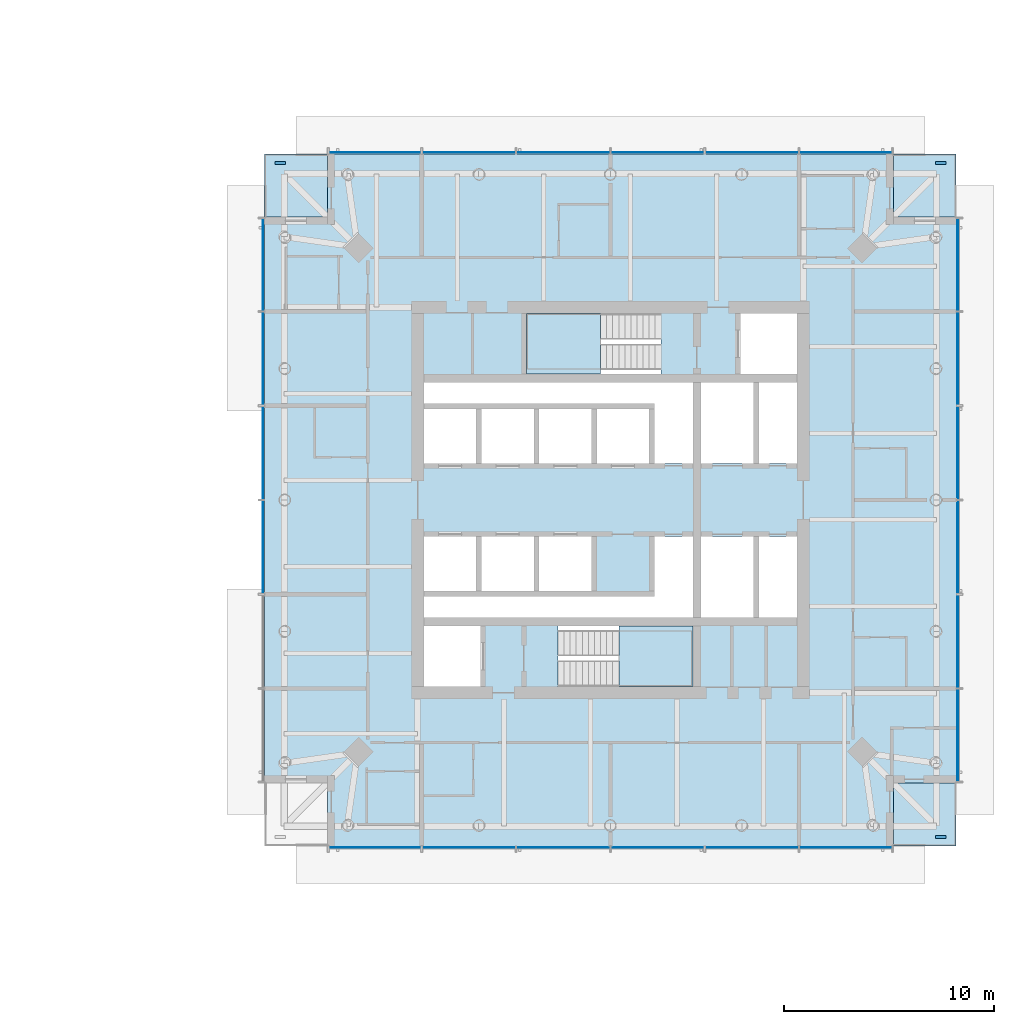
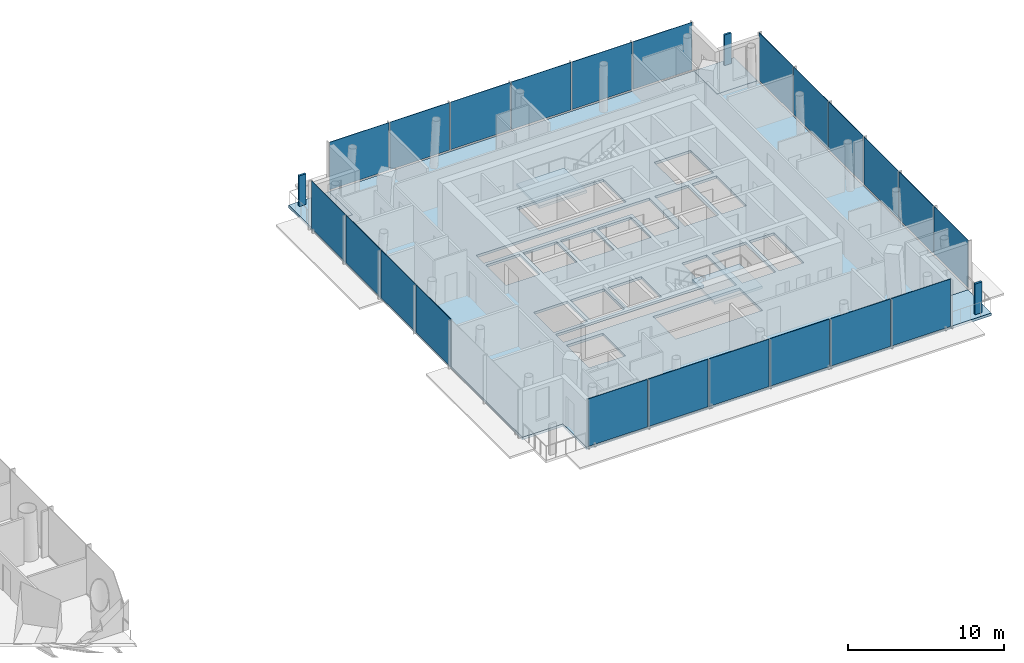
# One storey, part 7 of 20: 25 plates, 6 slabs, 6 elements without a shape of their own.
"""IFC4 building model written with IfcOpenShell, lengths in metres."""

from ifc_helpers import new_model, si_unit, direction, frame, origin, origin_2d, place, context, subcontext, project, spatial, polyline, rectangle, outline, extrude, material, layer, layer_set, type_object, element, aggregate, save


model = new_model("IFC4")

# Units and contexts
model_context = context("Model", 3, precision=1e-05, world=origin(), true_north=direction((0.0, 1.0)))
body_context = subcontext(model_context, "Body", "Model", "MODEL_VIEW")
ifc_project = project(units=[si_unit("LENGTHUNIT", "METRE"), si_unit("AREAUNIT", "SQUARE_METRE"), si_unit("VOLUMEUNIT", "CUBIC_METRE"), si_unit("PLANEANGLEUNIT", "RADIAN"), si_unit("MASSUNIT", "GRAM", prefix="KILO")], contexts=[model_context])

# Site, building, storey
site_placement = place(None, origin())
site = spatial("IfcSite", under=ifc_project, at=site_placement, CompositionType="ELEMENT")
building_placement = place(site_placement, origin())
building = spatial("IfcBuilding", under=site, at=building_placement, Name="Ostroluk Exchange", CompositionType="ELEMENT")
storey_placement = place(building_placement, frame((0.0, 0.0, 100.800048828125)))
storey = spatial("IfcBuildingStorey", under=building, at=storey_placement, Name="L25", CompositionType="ELEMENT", Elevation=100.800048828125)

# Curtain wall, plates
ifc_material_1 = material(Name="Laminated clear glass", Category="glass")
curtain_wall_type = type_object("IfcCurtainWallType", Name="Hotel guest floor facade", PredefinedType="USERDEFINED", material=ifc_material_1)
curtain_wall_1_placement = place(storey_placement, origin())
curtain_wall_1 = element("IfcCurtainWall", 1, at=curtain_wall_1_placement, inside=storey, type_object=curtain_wall_type, Name="Hotel tower south facade L25", ObjectType="UNITISED CURTAIN WALL", PredefinedType="USERDEFINED")
ifc_material_2 = material(Name="Laminated clear glass", Category="glass")
ifc_layer_1 = layer(ifc_material_2, 0.0400390625)
ifc_layer_set_1 = layer_set([ifc_layer_1], Name="Acoustic laminated glazing 40")
plate_type_1 = type_object("IfcPlateType", Name="Acoustic laminated glazing 40", PredefinedType="CURTAIN_PANEL", material=ifc_layer_set_1)
plate_1_placement = place(storey_placement, frame((105.77001953125, 29.425048828125, 0.080078125), z_axis=(0.0, 0.0, 1.0), x_axis=(1.0, 0.0, 0.0)))
plate_1 = element("IfcPlate", 2, at=plate_1_placement, type_object=plate_type_1, Name="CW-H1 panel 1.1", PredefinedType="CURTAIN_PANEL", context=body_context, shape_type="SweptSolid", body=[
    extrude(rectangle(XDim=4.3798828125, YDim=0.0400390625, at=origin_2d()), origin(), (0.0, 0.0, 1.0), 3.719970703125),
])
plate_2_placement = place(storey_placement, frame((110.25, 29.425048828125, 0.080078125), z_axis=(0.0, 0.0, 1.0), x_axis=(1.0, 0.0, 0.0)))
plate_2 = element("IfcPlate", 3, at=plate_2_placement, type_object=plate_type_1, Name="CW-H1 panel 2.1", PredefinedType="CURTAIN_PANEL", context=body_context, shape_type="SweptSolid", body=[
    extrude(rectangle(XDim=4.419921875, YDim=0.0400390625, at=origin_2d()), origin(), (0.0, 0.0, 1.0), 3.719970703125),
])
plate_3_placement = place(storey_placement, frame((114.75, 29.425048828125, 0.080078125), z_axis=(0.0, 0.0, 1.0), x_axis=(1.0, 0.0, 0.0)))
plate_3 = element("IfcPlate", 4, at=plate_3_placement, type_object=plate_type_1, Name="CW-H1 panel 3.1", PredefinedType="CURTAIN_PANEL", context=body_context, shape_type="SweptSolid", body=[
    extrude(rectangle(XDim=4.419921875, YDim=0.0400390625, at=origin_2d()), origin(), (0.0, 0.0, 1.0), 3.719970703125),
])
plate_4_placement = place(storey_placement, frame((119.25, 29.425048828125, 0.080078125), z_axis=(0.0, 0.0, 1.0), x_axis=(1.0, 0.0, 0.0)))
plate_4 = element("IfcPlate", 5, at=plate_4_placement, type_object=plate_type_1, Name="CW-H1 panel 4.1", PredefinedType="CURTAIN_PANEL", context=body_context, shape_type="SweptSolid", body=[
    extrude(rectangle(XDim=4.419921875, YDim=0.0400390625, at=origin_2d()), origin(), (0.0, 0.0, 1.0), 3.719970703125),
])
plate_5_placement = place(storey_placement, frame((123.75, 29.425048828125, 0.080078125), z_axis=(0.0, 0.0, 1.0), x_axis=(1.0, 0.0, 0.0)))
plate_5 = element("IfcPlate", 6, at=plate_5_placement, type_object=plate_type_1, Name="CW-H1 panel 5.1", PredefinedType="CURTAIN_PANEL", context=body_context, shape_type="SweptSolid", body=[
    extrude(rectangle(XDim=4.419921875, YDim=0.0400390625, at=origin_2d()), origin(), (0.0, 0.0, 1.0), 3.719970703125),
])
plate_6_placement = place(storey_placement, frame((128.22998046875, 29.425048828125, 0.080078125), z_axis=(0.0, 0.0, 1.0), x_axis=(1.0, 0.0, 0.0)))
plate_6 = element("IfcPlate", 7, at=plate_6_placement, type_object=plate_type_1, Name="CW-H1 panel 6.1", PredefinedType="CURTAIN_PANEL", context=body_context, shape_type="SweptSolid", body=[
    extrude(rectangle(XDim=4.3798828125, YDim=0.0400390625, at=origin_2d()), origin(), (0.0, 0.0, 1.0), 3.719970703125),
])
aggregate(curtain_wall_1, [plate_1, plate_2, plate_3, plate_4, plate_5, plate_6])

curtain_wall_2_placement = place(storey_placement, origin())
curtain_wall_2 = element("IfcCurtainWall", 8, at=curtain_wall_2_placement, inside=storey, type_object=curtain_wall_type, Name="Hotel tower east facade L25", ObjectType="UNITISED CURTAIN WALL", PredefinedType="USERDEFINED")
plate_7_placement = place(storey_placement, frame((133.574951171875, 34.77001953125, 0.080078125), z_axis=(0.0, 0.0, 1.0), x_axis=(0.0, 1.0, 0.0)))
plate_7 = element("IfcPlate", 9, at=plate_7_placement, type_object=plate_type_1, Name="CW-H1 panel 1.1", PredefinedType="CURTAIN_PANEL", context=body_context, shape_type="SweptSolid", body=[
    extrude(rectangle(XDim=4.3798828125, YDim=0.0400390625, at=origin_2d()), origin(), (0.0, 0.0, 1.0), 3.719970703125),
])
plate_8_placement = place(storey_placement, frame((133.574951171875, 39.25, 0.080078125), z_axis=(0.0, 0.0, 1.0), x_axis=(0.0, 1.0, 0.0)))
plate_8 = element("IfcPlate", 10, at=plate_8_placement, type_object=plate_type_1, Name="CW-H1 panel 2.1", PredefinedType="CURTAIN_PANEL", context=body_context, shape_type="SweptSolid", body=[
    extrude(rectangle(XDim=4.419921875, YDim=0.0400390625, at=origin_2d()), origin(), (0.0, 0.0, 1.0), 3.719970703125),
])
plate_9_placement = place(storey_placement, frame((133.574951171875, 43.75, 0.080078125), z_axis=(0.0, 0.0, 1.0), x_axis=(0.0, 1.0, 0.0)))
plate_9 = element("IfcPlate", 11, at=plate_9_placement, type_object=plate_type_1, Name="CW-H1 panel 3.1", PredefinedType="CURTAIN_PANEL", context=body_context, shape_type="SweptSolid", body=[
    extrude(rectangle(XDim=4.419921875, YDim=0.0400390625, at=origin_2d()), origin(), (0.0, 0.0, 1.0), 3.719970703125),
])
plate_10_placement = place(storey_placement, frame((133.574951171875, 48.25, 0.080078125), z_axis=(0.0, 0.0, 1.0), x_axis=(0.0, 1.0, 0.0)))
plate_10 = element("IfcPlate", 12, at=plate_10_placement, type_object=plate_type_1, Name="CW-H1 panel 4.1", PredefinedType="CURTAIN_PANEL", context=body_context, shape_type="SweptSolid", body=[
    extrude(rectangle(XDim=4.419921875, YDim=0.0400390625, at=origin_2d()), origin(), (0.0, 0.0, 1.0), 3.719970703125),
])
plate_11_placement = place(storey_placement, frame((133.574951171875, 52.75, 0.080078125), z_axis=(0.0, 0.0, 1.0), x_axis=(0.0, 1.0, 0.0)))
plate_11 = element("IfcPlate", 13, at=plate_11_placement, type_object=plate_type_1, Name="CW-H1 panel 5.1", PredefinedType="CURTAIN_PANEL", context=body_context, shape_type="SweptSolid", body=[
    extrude(rectangle(XDim=4.419921875, YDim=0.0400390625, at=origin_2d()), origin(), (0.0, 0.0, 1.0), 3.719970703125),
])
plate_12_placement = place(storey_placement, frame((133.574951171875, 57.22998046875, 0.080078125), z_axis=(0.0, 0.0, 1.0), x_axis=(0.0, 1.0, 0.0)))
plate_12 = element("IfcPlate", 14, at=plate_12_placement, type_object=plate_type_1, Name="CW-H1 panel 6.1", PredefinedType="CURTAIN_PANEL", context=body_context, shape_type="SweptSolid", body=[
    extrude(rectangle(XDim=4.3798828125, YDim=0.0400390625, at=origin_2d()), origin(), (0.0, 0.0, 1.0), 3.719970703125),
])
aggregate(curtain_wall_2, [plate_7, plate_8, plate_9, plate_10, plate_11, plate_12])

curtain_wall_3_placement = place(storey_placement, origin())
curtain_wall_3 = element("IfcCurtainWall", 15, at=curtain_wall_3_placement, inside=storey, type_object=curtain_wall_type, Name="Hotel tower north facade L25", ObjectType="UNITISED CURTAIN WALL", PredefinedType="USERDEFINED")
plate_13_placement = place(storey_placement, frame((128.22998046875, 62.574951171875, 0.080078125), z_axis=(0.0, 0.0, 1.0), x_axis=(-1.0, 0.0, 0.0)))
plate_13 = element("IfcPlate", 16, at=plate_13_placement, type_object=plate_type_1, Name="CW-H1 panel 1.1", PredefinedType="CURTAIN_PANEL", context=body_context, shape_type="SweptSolid", body=[
    extrude(rectangle(XDim=4.3798828125, YDim=0.0400390625, at=origin_2d()), origin(), (0.0, 0.0, 1.0), 3.719970703125),
])
plate_14_placement = place(storey_placement, frame((123.75, 62.574951171875, 0.080078125), z_axis=(0.0, 0.0, 1.0), x_axis=(-1.0, 0.0, 0.0)))
plate_14 = element("IfcPlate", 17, at=plate_14_placement, type_object=plate_type_1, Name="CW-H1 panel 2.1", PredefinedType="CURTAIN_PANEL", context=body_context, shape_type="SweptSolid", body=[
    extrude(rectangle(XDim=4.419921875, YDim=0.0400390625, at=origin_2d()), origin(), (0.0, 0.0, 1.0), 3.719970703125),
])
plate_15_placement = place(storey_placement, frame((119.25, 62.574951171875, 0.080078125), z_axis=(0.0, 0.0, 1.0), x_axis=(-1.0, 0.0, 0.0)))
plate_15 = element("IfcPlate", 18, at=plate_15_placement, type_object=plate_type_1, Name="CW-H1 panel 3.1", PredefinedType="CURTAIN_PANEL", context=body_context, shape_type="SweptSolid", body=[
    extrude(rectangle(XDim=4.419921875, YDim=0.0400390625, at=origin_2d()), origin(), (0.0, 0.0, 1.0), 3.719970703125),
])
plate_16_placement = place(storey_placement, frame((114.75, 62.574951171875, 0.080078125), z_axis=(0.0, 0.0, 1.0), x_axis=(-1.0, 0.0, 0.0)))
plate_16 = element("IfcPlate", 19, at=plate_16_placement, type_object=plate_type_1, Name="CW-H1 panel 4.1", PredefinedType="CURTAIN_PANEL", context=body_context, shape_type="SweptSolid", body=[
    extrude(rectangle(XDim=4.419921875, YDim=0.0400390625, at=origin_2d()), origin(), (0.0, 0.0, 1.0), 3.719970703125),
])
plate_17_placement = place(storey_placement, frame((110.25, 62.574951171875, 0.080078125), z_axis=(0.0, 0.0, 1.0), x_axis=(-1.0, 0.0, 0.0)))
plate_17 = element("IfcPlate", 20, at=plate_17_placement, type_object=plate_type_1, Name="CW-H1 panel 5.1", PredefinedType="CURTAIN_PANEL", context=body_context, shape_type="SweptSolid", body=[
    extrude(rectangle(XDim=4.419921875, YDim=0.0400390625, at=origin_2d()), origin(), (0.0, 0.0, 1.0), 3.719970703125),
])
plate_18_placement = place(storey_placement, frame((105.77001953125, 62.574951171875, 0.080078125), z_axis=(0.0, 0.0, 1.0), x_axis=(-1.0, 0.0, 0.0)))
plate_18 = element("IfcPlate", 21, at=plate_18_placement, type_object=plate_type_1, Name="CW-H1 panel 6.1", PredefinedType="CURTAIN_PANEL", context=body_context, shape_type="SweptSolid", body=[
    extrude(rectangle(XDim=4.3798828125, YDim=0.0400390625, at=origin_2d()), origin(), (0.0, 0.0, 1.0), 3.719970703125),
])
aggregate(curtain_wall_3, [plate_13, plate_14, plate_15, plate_16, plate_17, plate_18])

curtain_wall_4_placement = place(storey_placement, origin())
curtain_wall_4 = element("IfcCurtainWall", 22, at=curtain_wall_4_placement, inside=storey, type_object=curtain_wall_type, Name="Hotel tower west facade L25", ObjectType="UNITISED CURTAIN WALL", PredefinedType="USERDEFINED")
plate_19_placement = place(storey_placement, frame((100.425048828125, 57.22998046875, 0.080078125), z_axis=(0.0, 0.0, 1.0), x_axis=(0.0, -1.0, 0.0)))
plate_19 = element("IfcPlate", 23, at=plate_19_placement, type_object=plate_type_1, Name="CW-H1 panel 1.1", PredefinedType="CURTAIN_PANEL", context=body_context, shape_type="SweptSolid", body=[
    extrude(rectangle(XDim=4.3798828125, YDim=0.0400390625, at=origin_2d()), origin(), (0.0, 0.0, 1.0), 3.719970703125),
])
plate_20_placement = place(storey_placement, frame((100.425048828125, 52.75, 0.080078125), z_axis=(0.0, 0.0, 1.0), x_axis=(0.0, -1.0, 0.0)))
plate_20 = element("IfcPlate", 24, at=plate_20_placement, type_object=plate_type_1, Name="CW-H1 panel 2.1", PredefinedType="CURTAIN_PANEL", context=body_context, shape_type="SweptSolid", body=[
    extrude(rectangle(XDim=4.419921875, YDim=0.0400390625, at=origin_2d()), origin(), (0.0, 0.0, 1.0), 3.719970703125),
])
plate_21_placement = place(storey_placement, frame((100.425048828125, 48.25, 0.080078125), z_axis=(0.0, 0.0, 1.0), x_axis=(0.0, -1.0, 0.0)))
plate_21 = element("IfcPlate", 25, at=plate_21_placement, type_object=plate_type_1, Name="CW-H1 panel 3.1", PredefinedType="CURTAIN_PANEL", context=body_context, shape_type="SweptSolid", body=[
    extrude(rectangle(XDim=4.419921875, YDim=0.0400390625, at=origin_2d()), origin(), (0.0, 0.0, 1.0), 3.719970703125),
])
plate_22_placement = place(storey_placement, frame((100.425048828125, 43.75, 0.080078125), z_axis=(0.0, 0.0, 1.0), x_axis=(0.0, -1.0, 0.0)))
plate_22 = element("IfcPlate", 26, at=plate_22_placement, type_object=plate_type_1, Name="CW-H1 panel 4.1", PredefinedType="CURTAIN_PANEL", context=body_context, shape_type="SweptSolid", body=[
    extrude(rectangle(XDim=4.419921875, YDim=0.0400390625, at=origin_2d()), origin(), (0.0, 0.0, 1.0), 3.719970703125),
])
aggregate(curtain_wall_4, [plate_19, plate_20, plate_21, plate_22])

# Slabs
ifc_material_3 = material(Name="Concrete C35/45", Category="concrete")
ifc_layer_2 = layer(ifc_material_3, 0.199951171875)
ifc_layer_set_2 = layer_set([ifc_layer_2], Name="Balcony slab 200")
slab_type_1 = type_object("IfcSlabType", Name="Balcony slab 200", PredefinedType="USERDEFINED", material=ifc_layer_set_2)
slab_1_placement = place(storey_placement, frame((0.0, 0.0, -0.199951171875)))
element("IfcSlab", 27, at=slab_1_placement, inside=storey, type_object=slab_type_1, Name="Hotel tower SE corner balcony L25", ObjectType="BALCONY", PredefinedType="USERDEFINED", context=body_context, shape_type="SweptSolid", body=[
    extrude(outline(polyline([(130.5, 29.5), (133.5, 29.5), (133.5, 32.5), (130.5, 32.5), (130.5, 29.5)])), origin(), (0.0, 0.0, 1.0), 0.199951171875),
])
slab_2_placement = place(storey_placement, frame((0.0, 0.0, -0.199951171875)))
element("IfcSlab", 28, at=slab_2_placement, inside=storey, type_object=slab_type_1, Name="Hotel tower NE corner balcony L25", ObjectType="BALCONY", PredefinedType="USERDEFINED", context=body_context, shape_type="SweptSolid", body=[
    extrude(outline(polyline([(130.5, 59.5), (133.5, 59.5), (133.5, 62.5), (130.5, 62.5), (130.5, 59.5)])), origin(), (0.0, 0.0, 1.0), 0.199951171875),
])
slab_3_placement = place(storey_placement, frame((0.0, 0.0, -0.199951171875)))
element("IfcSlab", 29, at=slab_3_placement, inside=storey, type_object=slab_type_1, Name="Hotel tower NW corner balcony L25", ObjectType="BALCONY", PredefinedType="USERDEFINED", context=body_context, shape_type="SweptSolid", body=[
    extrude(outline(polyline([(100.5, 59.5), (103.5, 59.5), (103.5, 62.5), (100.5, 62.5), (100.5, 59.5)])), origin(), (0.0, 0.0, 1.0), 0.199951171875),
])

# Plates
ifc_material_4 = material(Name="Steel S355 trellis with planting", Category="steel")
ifc_layer_3 = layer(ifc_material_4, 0.14990234375)
ifc_layer_set_3 = layer_set([ifc_layer_3], Name="Planted screen 150")
plate_type_2 = type_object("IfcPlateType", Name="Planted screen 150", PredefinedType="USERDEFINED", material=ifc_layer_set_3)
for number, where, z_axis, x_axis, name in (
    (30, (132.75, 29.925048828125, 0.0), (0.0, 0.0, 1.0), (1.0, 0.0, 0.0), "Hotel tower SE planted screen L25"),
    (31, (132.75, 62.074951171875, 0.0), (0.0, 0.0, 1.0), (1.0, 0.0, 0.0), "Hotel tower NE planted screen L25"),
    (32, (101.25, 62.074951171875, 0.0), (0.0, 0.0, 1.0), (1.0, 0.0, 0.0), "Hotel tower NW planted screen L25"),
):
    element("IfcPlate", number, at=place(storey_placement, frame(where, z_axis=z_axis, x_axis=x_axis)), inside=storey, type_object=plate_type_2, Name=name, ObjectType="PLANTED SCREEN", PredefinedType="USERDEFINED", context=body_context, shape_type="SweptSolid", body=[
        extrude(rectangle(XDim=0.5, YDim=0.14990234375, at=origin_2d()), origin(), (0.0, 0.0, 1.0), 2.39990234375),
    ])

# Stair, slab
ifc_material_5 = material(Name="Concrete C30/37", Category="concrete")
stair_type = type_object("IfcStairType", Name="Exit stair half turn 3800", PredefinedType="HALF_TURN_STAIR", material=ifc_material_5)
stair_1_placement = place(storey_placement, origin())
stair_1 = element("IfcStair", 33, at=stair_1_placement, inside=storey, type_object=stair_type, Name="Stair T2-S1 L25", PredefinedType="HALF_TURN_STAIR")
ifc_material_6 = material(Name="Concrete C30/37", Category="concrete")
ifc_layer_4 = layer(ifc_material_6, 0.199951171875)
ifc_layer_set_4 = layer_set([ifc_layer_4], Name="Stair landing 200")
slab_type_2 = type_object("IfcSlabType", Name="Stair landing 200", PredefinedType="LANDING", material=ifc_layer_set_4)
slab_4_placement = place(storey_placement, frame((0.0, 0.0, 1.699951171875)))
slab_4 = element("IfcSlab", 34, at=slab_4_placement, type_object=slab_type_2, Name="T2-S1 landing 1", PredefinedType="LANDING", context=body_context, shape_type="SweptSolid", body=[
    extrude(outline(polyline([(117.39990234375, 37.10009765625), (117.39990234375, 40.0), (120.929931640625, 40.0), (120.929931640625, 37.10009765625), (117.39990234375, 37.10009765625)])), origin(), (0.0, 0.0, 1.0), 0.199951171875),
])
aggregate(stair_1, [slab_4])

stair_2_placement = place(storey_placement, origin())
stair_2 = element("IfcStair", 35, at=stair_2_placement, inside=storey, type_object=stair_type, Name="Stair T2-S2 L25", PredefinedType="HALF_TURN_STAIR")
slab_5_placement = place(storey_placement, frame((0.0, 0.0, 1.699951171875)))
slab_5 = element("IfcSlab", 36, at=slab_5_placement, type_object=slab_type_2, Name="T2-S2 landing 1", PredefinedType="LANDING", context=body_context, shape_type="SweptSolid", body=[
    extrude(outline(polyline([(116.530029296875, 52.0), (116.530029296875, 54.89990234375), (113.0, 54.89990234375), (113.0, 52.0), (116.530029296875, 52.0)])), origin(), (0.0, 0.0, 1.0), 0.199951171875),
])
aggregate(stair_2, [slab_5])

# Slab
ifc_material_7 = material(Name="Concrete C35/45", Category="concrete")
ifc_layer_5 = layer(ifc_material_7, 0.199951171875)
ifc_layer_set_5 = layer_set([ifc_layer_5], Name="Tower floor slab 200 composite")
slab_type_3 = type_object("IfcSlabType", Name="Tower floor slab 200 composite", PredefinedType="FLOOR", material=ifc_layer_set_5)
slab_6_placement = place(storey_placement, frame((0.0, 0.0, -0.199951171875)))
element("IfcSlab", 37, at=slab_6_placement, inside=storey, type_object=slab_type_3, Name="Hotel tower floor slab L25", PredefinedType="FLOOR", context=body_context, shape_type="SweptSolid", body=[
    extrude(outline(polyline([(103.5, 29.5), (130.5, 29.5), (130.5, 32.5), (133.5, 32.5), (133.5, 59.5), (130.5, 59.5), (130.5, 62.5), (103.5, 62.5), (103.5, 59.5), (100.5, 59.5), (100.5, 32.5), (103.5, 32.5), (103.5, 29.5)]), holes=[polyline([(108.10009765625, 37.10009765625), (110.800048828125, 37.10009765625), (110.800048828125, 40.0), (108.10009765625, 40.0), (108.10009765625, 37.10009765625)]), polyline([(114.510009765625, 37.10009765625), (120.929931640625, 37.10009765625), (120.929931640625, 40.0), (114.510009765625, 40.0), (114.510009765625, 37.10009765625)]), polyline([(113.0, 52.0), (119.419921875, 52.0), (119.419921875, 54.89990234375), (113.0, 54.89990234375), (113.0, 52.0)]), polyline([(123.199951171875, 52.0), (125.89990234375, 52.0), (125.89990234375, 54.89990234375), (123.199951171875, 54.89990234375), (123.199951171875, 52.0)]), polyline([(108.10009765625, 47.75), (110.60009765625, 47.75), (110.60009765625, 50.35009765625), (108.10009765625, 50.35009765625), (108.10009765625, 47.75)]), polyline([(110.85009765625, 47.75), (113.35009765625, 47.75), (113.35009765625, 50.35009765625), (110.85009765625, 50.35009765625), (110.85009765625, 47.75)]), polyline([(113.60009765625, 47.75), (116.10009765625, 47.75), (116.10009765625, 50.35009765625), (113.60009765625, 50.35009765625), (113.60009765625, 47.75)]), polyline([(116.35009765625, 47.75), (118.85009765625, 47.75), (118.85009765625, 50.35009765625), (116.35009765625, 50.35009765625), (116.35009765625, 47.75)]), polyline([(108.10009765625, 41.64990234375), (110.60009765625, 41.64990234375), (110.60009765625, 44.25), (108.10009765625, 44.25), (108.10009765625, 41.64990234375)]), polyline([(110.85009765625, 41.64990234375), (113.35009765625, 41.64990234375), (113.35009765625, 44.25), (110.85009765625, 44.25), (110.85009765625, 41.64990234375)]), polyline([(113.60009765625, 41.64990234375), (116.10009765625, 41.64990234375), (116.10009765625, 44.25), (113.60009765625, 44.25), (113.60009765625, 41.64990234375)]), polyline([(121.330078125, 47.75), (123.830078125, 47.75), (123.830078125, 51.60009765625), (121.330078125, 51.60009765625), (121.330078125, 47.75)]), polyline([(121.330078125, 40.39990234375), (123.830078125, 40.39990234375), (123.830078125, 44.25), (121.330078125, 44.25), (121.330078125, 40.39990234375)]), polyline([(120.929931640625, 51.60009765625), (120.929931640625, 47.75), (119.10009765625, 47.75), (119.10009765625, 50.60009765625), (108.10009765625, 50.60009765625), (108.10009765625, 51.60009765625), (120.929931640625, 51.60009765625)]), polyline([(108.10009765625, 40.39990234375), (108.10009765625, 41.39990234375), (119.10009765625, 41.39990234375), (119.10009765625, 44.25), (120.929931640625, 44.25), (120.929931640625, 40.39990234375), (108.10009765625, 40.39990234375)]), polyline([(124.080078125, 47.75), (125.89990234375, 47.75), (125.89990234375, 51.60009765625), (124.080078125, 51.60009765625), (124.080078125, 47.75)]), polyline([(124.080078125, 40.39990234375), (125.89990234375, 40.39990234375), (125.89990234375, 44.25), (124.080078125, 44.25), (124.080078125, 40.39990234375)])]), origin(), (0.0, 0.0, 1.0), 0.199951171875),
])

save(model, "model.ifc")
